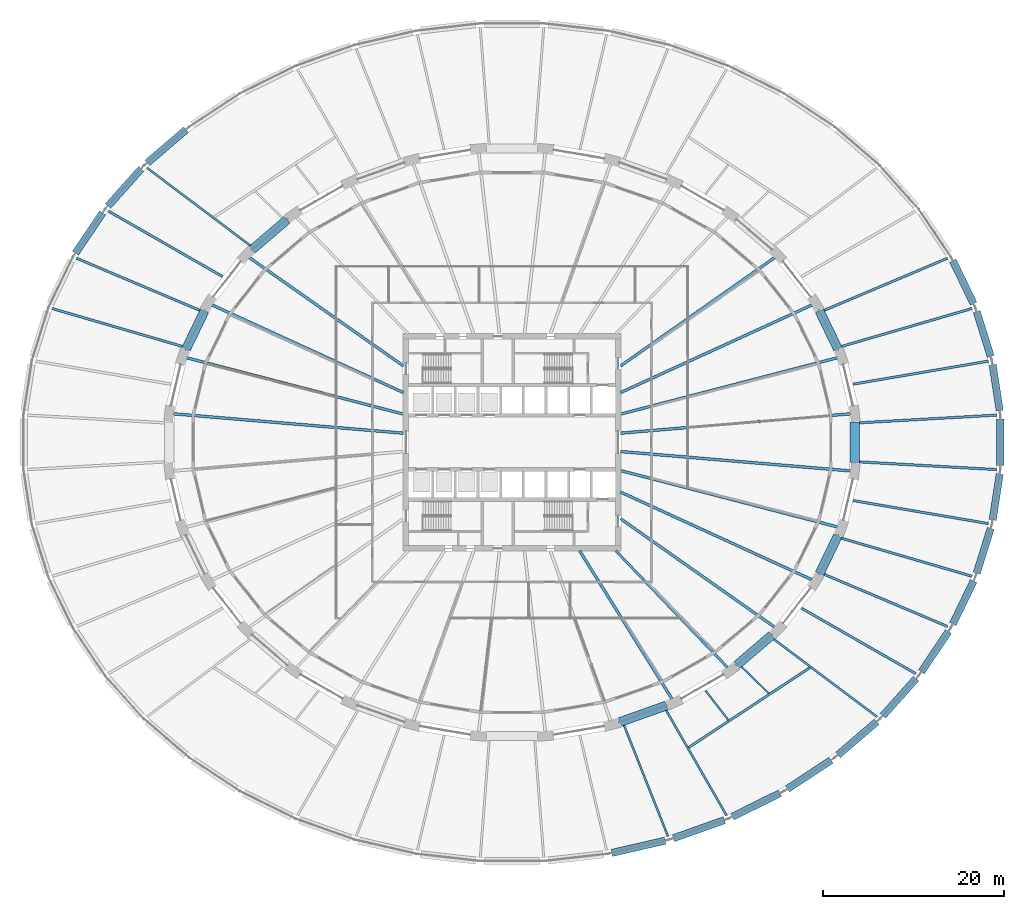
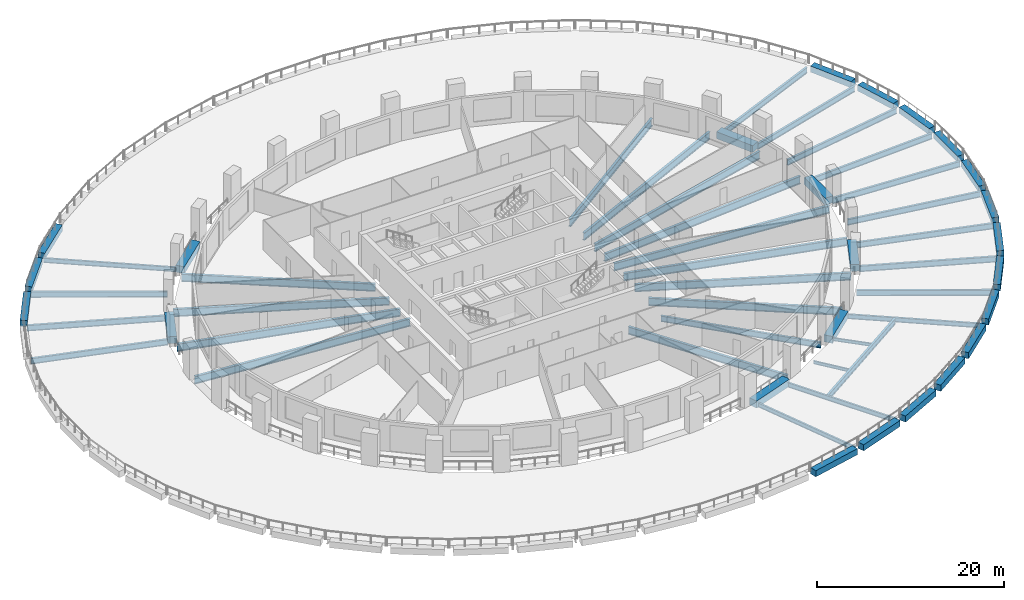
# One storey, part 2 of 16: 57 beams.
"""IFC4 building model written with IfcOpenShell, lengths in metres."""

import ifcopenshell
import ifcopenshell.guid

model = None  # the IFC model being written
_history = None  # IfcOwnerHistory: only IFC2X3 demands one
_inside = {}  # id of a spatial element -> (the spatial element, [elements in it])
_under = {}  # id of a project, library or spatial element -> (it, [spatial elements below it])
_declared = {}  # id of a project -> (the project, [libraries it declares])
_typed = {}  # id of a type object -> (the type object, [elements of that type])
_made_of = {}  # id of a material, layer set ... -> (it, [elements and type objects made of it])


def new_model(schema):
    """Start an empty IFC model of exactly this schema.

    Asked for "IFC4X3", IfcOpenShell would pick the latest addendum, in which some entities
    have other attributes; the version numbers below select the first issue.
    IFC2X3 requires an IfcOwnerHistory on every rooted entity: one is made here for all.
    """
    global model, _history
    if schema == "IFC4X3":
        model = ifcopenshell.file(schema_version=(4, 3, 0, 0))
    else:
        model = ifcopenshell.file(schema=schema)
    _inside.clear()
    _under.clear()
    _declared.clear()
    _typed.clear()
    _made_of.clear()
    _history = None
    if model.schema == "IFC2X3":
        org = make("IfcOrganization", Name="unknown")
        user = make(
            "IfcPersonAndOrganization",
            ThePerson=make("IfcPerson", FamilyName="unknown"),
            TheOrganization=org,
        )
        app = make(
            "IfcApplication",
            ApplicationDeveloper=org,
            Version="unknown",
            ApplicationFullName="unknown",
            ApplicationIdentifier="unknown",
        )
        _history = make(
            "IfcOwnerHistory",
            OwningUser=user,
            OwningApplication=app,
            ChangeAction="ADDED",
            CreationDate=0,
        )
    return model


def make(cls, **values):
    """One entity of the class cls with the attributes given. An attribute that is None is left unset."""
    return model.create_entity(
        cls, **{name: value for name, value in values.items() if value is not None}
    )


def rooted(cls, **values):
    """An entity with a GlobalId (a new one), such as an element, a storey or a relation."""
    return make(cls, GlobalId=ifcopenshell.guid.new(), OwnerHistory=_history, **values)


def si_unit(unit_type, name, prefix=None):
    """IfcSIUnit, for example si_unit("LENGTHUNIT", "METRE", prefix="MILLI")."""
    return make("IfcSIUnit", UnitType=unit_type, Prefix=prefix, Name=name)


def assignment(units):
    """IfcUnitAssignment: the units of a project."""
    return None if units is None else make("IfcUnitAssignment", Units=units)


def point(xyz):
    """IfcCartesianPoint."""
    return None if xyz is None else make("IfcCartesianPoint", Coordinates=xyz)


def direction(xyz):
    """IfcDirection."""
    return None if xyz is None else make("IfcDirection", DirectionRatios=xyz)


def frame(location, z_axis=None, x_axis=None):
    """IfcAxis2Placement3D, a coordinate frame: its origin and axes. An axis left out is left unset."""
    return make(
        "IfcAxis2Placement3D",
        Location=point(location),
        Axis=direction(z_axis),
        RefDirection=direction(x_axis),
    )


def frame_2d(location, x_axis=None):
    """IfcAxis2Placement2D, a coordinate frame in the plane: its origin and x axis."""
    return make(
        "IfcAxis2Placement2D", Location=point(location), RefDirection=direction(x_axis)
    )


def origin():
    """The frame at (0, 0, 0) with its axes left unset."""
    return frame((0.0, 0.0, 0.0))


def origin_2d():
    """The frame at (0, 0) in the plane with its x axis left unset."""
    return frame_2d((0.0, 0.0))


def place(relative_to, where):
    """IfcLocalPlacement: puts the frame where relative to a parent placement (None: the world)."""
    return make(
        "IfcLocalPlacement", PlacementRelTo=relative_to, RelativePlacement=where
    )


def context(
    kind, dimensions, precision=None, world=None, true_north=None, identifier=None
):
    """IfcGeometricRepresentationContext, for example the 3D "Model" context."""
    return make(
        "IfcGeometricRepresentationContext",
        ContextIdentifier=identifier,
        ContextType=kind,
        CoordinateSpaceDimension=dimensions,
        Precision=precision,
        WorldCoordinateSystem=world,
        TrueNorth=true_north,
    )


def subcontext(parent, identifier, kind, view, scale=None):
    """IfcGeometricRepresentationSubContext, for example "Body" below "Model"."""
    return make(
        "IfcGeometricRepresentationSubContext",
        ContextIdentifier=identifier,
        ContextType=kind,
        ParentContext=parent,
        TargetScale=scale,
        TargetView=view,
    )


def project(units=None, contexts=None):
    """IfcProject with its units and contexts."""
    return rooted(
        "IfcProject",
        Name="project",
        RepresentationContexts=contexts,
        UnitsInContext=assignment(units),
    )


def spatial(cls, under=None, at=None, **own):
    """A site, building, storey or space (cls), placed at a placement, below another one or the project."""
    s = rooted(cls, ObjectPlacement=at, **own)
    if under is not None:
        _under.setdefault(under.id(), (under, []))[1].append(s)
    return s


def profile(cls, at=None, kind="AREA", **sizes):
    """A parametric profile (cls). Its sizes go by their IFC names, for example OverallWidth=200.0."""
    return make(cls, ProfileType=kind, Position=at, **sizes)


def rectangle(**sizes):
    """IfcRectangleProfileDef."""
    return profile("IfcRectangleProfileDef", **sizes)


def i_section(**sizes):
    """IfcIShapeProfileDef."""
    return profile("IfcIShapeProfileDef", **sizes)


def extrude(swept, where, along, depth):
    """IfcExtrudedAreaSolid: the profile swept, set in the frame where, extruded along a direction by depth."""
    return make(
        "IfcExtrudedAreaSolid",
        SweptArea=swept,
        Position=where,
        ExtrudedDirection=direction(along),
        Depth=depth,
    )


def shape(context_of_items, identifier, shape_type, items):
    """IfcShapeRepresentation: the items that make up one representation, for example the "Body"."""
    return make(
        "IfcShapeRepresentation",
        ContextOfItems=context_of_items,
        RepresentationIdentifier=identifier,
        RepresentationType=shape_type,
        Items=items,
    )


def material(Name=None, Category=None):
    """IfcMaterial."""
    return make("IfcMaterial", Name=Name, Category=Category)


def material_profile(
    of_material, cross_section, Name=None, Category=None, Priority=None
):
    """IfcMaterialProfile: a cross section and its material."""
    return make(
        "IfcMaterialProfile",
        Name=Name,
        Material=of_material,
        Profile=cross_section,
        Priority=Priority,
        Category=Category,
    )


def profile_set(profiles, Name=None, composite=None):
    """IfcMaterialProfileSet."""
    return make(
        "IfcMaterialProfileSet",
        Name=Name,
        MaterialProfiles=profiles,
        CompositeProfile=composite,
    )


def made_of(thing, what):
    """Note that an element or type object is made of a material, layer set ...; save() writes the relation."""
    if what is not None:
        _made_of.setdefault(what.id(), (what, []))[1].append(thing)
    return thing


def type_object(cls, material=None, **own):
    """A type object (cls), such as IfcWallType, which elements share."""
    return made_of(rooted(cls, **own), material)


def element(
    cls,
    number,
    at=None,
    inside=None,
    cuts=None,
    type_object=None,
    material=None,
    context=None,
    identifier="Body",
    shape_type=None,
    held_by="IfcProductDefinitionShape",
    body=None,
    shapes=None,
    **own,
):
    """One element of the class cls, such as IfcWall. Its Tag is "e" and its number.

    at: its placement. inside: the storey or other place that contains it. cuts: it is an
    opening in that element (IfcRelVoidsElement). A single representation is given by context,
    identifier, shape_type and body (its items); several are given by shapes. held_by: the class
    of the entity that holds the representations. save() writes the other relations.
    """
    e = rooted(cls, Tag="e%d" % number, ObjectPlacement=at, **own)
    if body is not None:
        shapes = [shape(context, identifier, shape_type, body)]
    if shapes is not None:
        e.Representation = make(held_by, Representations=shapes)
    if inside is not None:
        _inside.setdefault(inside.id(), (inside, []))[1].append(e)
    if cuts is not None:
        rooted(
            "IfcRelVoidsElement", RelatingBuildingElement=cuts, RelatedOpeningElement=e
        )
    if type_object is not None:
        _typed.setdefault(type_object.id(), (type_object, []))[1].append(e)
    return made_of(e, material)


def aggregate(whole, parts):
    """IfcRelAggregates: a whole, such as a stair, and the parts it consists of."""
    return rooted("IfcRelAggregates", RelatingObject=whole, RelatedObjects=parts)


def save(model, path):
    """Write the relations noted so far, then the file.

    IfcRelAggregates (storeys below a building ...), IfcRelContainedInSpatialStructure (elements
    in a storey), IfcRelDefinesByType, IfcRelAssociatesMaterial and IfcRelDeclares: one each for
    every whole, place, type object, material and project.
    """
    for whole, parts in _under.values():
        aggregate(whole, parts)
    for where, things in _inside.values():
        rooted(
            "IfcRelContainedInSpatialStructure",
            RelatedElements=things,
            RelatingStructure=where,
        )
    for kind, things in _typed.values():
        rooted("IfcRelDefinesByType", RelatedObjects=things, RelatingType=kind)
    for what, things in _made_of.values():
        rooted("IfcRelAssociatesMaterial", RelatedObjects=things, RelatingMaterial=what)
    for by, libraries in _declared.values():
        rooted("IfcRelDeclares", RelatingContext=by, RelatedDefinitions=libraries)
    model.write(path)


model = new_model("IFC4")

# Units and contexts
model_context = context("Model", 3, precision=1e-05, world=origin(), true_north=direction((0.0, 1.0)))
body_context = subcontext(model_context, "Body", "Model", "MODEL_VIEW")
ifc_project = project(units=[si_unit("LENGTHUNIT", "METRE"), si_unit("AREAUNIT", "SQUARE_METRE"), si_unit("VOLUMEUNIT", "CUBIC_METRE"), si_unit("PLANEANGLEUNIT", "RADIAN"), si_unit("MASSUNIT", "GRAM", prefix="KILO")], contexts=[model_context])

# Site, building, storey
site_placement = place(None, origin())
site = spatial("IfcSite", under=ifc_project, at=site_placement, CompositionType="ELEMENT")
building_placement = place(site_placement, origin())
building = spatial("IfcBuilding", under=site, at=building_placement, Name="Halqa Exchange Tower", CompositionType="ELEMENT")
storey_placement = place(building_placement, frame((0.0, 0.0, 23.5)))
storey = spatial("IfcBuildingStorey", under=building, at=storey_placement, Name="L04", CompositionType="ELEMENT", Elevation=23.5)

# Beams
ifc_material_1 = material(Name="Steel S355", Category="steel")
ifc_material_profile_1 = material_profile(ifc_material_1, i_section(OverallWidth=0.300048828125, OverallDepth=0.989990234375, WebThickness=0.0166015625, FlangeThickness=0.031005859375, FilletRadius=0.030029296875, at=origin_2d()), Name="HEA 1000")
ifc_profile_set_1 = profile_set([ifc_material_profile_1], Name="Steel S355")
beam_type_1 = type_object("IfcBeamType", Name="Floor beam HEA 1000", PredefinedType="BEAM", material=ifc_profile_set_1)
beam_1_placement = place(storey_placement, frame((11.972412109375, 5.485107421875, -0.794921875), z_axis=(0.909128229117, 0.416516341843, 0.0), x_axis=(-0.416516341843, 0.909128229117, 0.0)))
element("IfcBeam", 1, at=beam_1_placement, inside=storey, type_object=beam_type_1, Name="Radial beam 3", PredefinedType="BEAM", context=body_context, shape_type="SweptSolid", body=[
    extrude(i_section(OverallWidth=0.300048828125, OverallDepth=0.989990234375, WebThickness=0.0166015625, FlangeThickness=0.031005859375, FilletRadius=0.030029296875, at=origin_2d()), origin(), (0.0, 0.0, 1.0), 23.209228515625),
])
for number, where, z_axis, x_axis, name in (
    (2, (11.972412109375, 8.421875, -0.794921875), (0.817909911418, 0.575346310325, 0.0), (-0.575346310325, 0.817909911418, 0.0), "Radial beam 4"),
    (3, (-11.972412109375, 8.421875, -0.794921875), (-0.817909911418, 0.575346310325, 0.0), (-0.575346310325, -0.817909911418, 0.0), "Radial beam 13"),
):
    element("IfcBeam", number, at=place(storey_placement, frame(where, z_axis=z_axis, x_axis=x_axis)), inside=storey, type_object=beam_type_1, Name=name, PredefinedType="BEAM", context=body_context, shape_type="SweptSolid", body=[
        extrude(i_section(OverallWidth=0.300048828125, OverallDepth=0.989990234375, WebThickness=0.0166015625, FlangeThickness=0.031005859375, FilletRadius=0.030029296875, at=origin_2d()), origin(), (0.0, 0.0, 1.0), 20.804443359375),
    ])
beam_2_placement = place(storey_placement, frame((-11.972412109375, 5.485107421875, -0.794921875), z_axis=(-0.909128229117, 0.416516341843, 0.0), x_axis=(-0.416516341843, -0.909128229117, 0.0)))
element("IfcBeam", 4, at=beam_2_placement, inside=storey, type_object=beam_type_1, Name="Radial beam 14", PredefinedType="BEAM", context=body_context, shape_type="SweptSolid", body=[
    extrude(i_section(OverallWidth=0.300048828125, OverallDepth=0.989990234375, WebThickness=0.0166015625, FlangeThickness=0.031005859375, FilletRadius=0.030029296875, at=origin_2d()), origin(), (0.0, 0.0, 1.0), 23.209228515625),
])
beam_3_placement = place(storey_placement, frame((7.46533203125, -11.971435546875, -0.794921875), z_axis=(0.529145823441, -0.848530905468, 0.0), x_axis=(0.848530905468, 0.529145823441, 0.0)))
element("IfcBeam", 5, at=beam_3_placement, inside=storey, type_object=beam_type_1, Name="Radial beam 27", PredefinedType="BEAM", context=body_context, shape_type="SweptSolid", body=[
    extrude(i_section(OverallWidth=0.300048828125, OverallDepth=0.989990234375, WebThickness=0.0166015625, FlangeThickness=0.031005859375, FilletRadius=0.030029296875, at=origin_2d()), origin(), (0.0, 0.0, 1.0), 19.27294921875),
])
beam_4_placement = place(storey_placement, frame((11.972412109375, -8.421875, -0.794921875), z_axis=(0.817909911418, -0.575346310325, 0.0), x_axis=(0.575346310325, 0.817909911418, 0.0)))
element("IfcBeam", 6, at=beam_4_placement, inside=storey, type_object=beam_type_1, Name="Radial beam 29", PredefinedType="BEAM", context=body_context, shape_type="SweptSolid", body=[
    extrude(i_section(OverallWidth=0.300048828125, OverallDepth=0.989990234375, WebThickness=0.0166015625, FlangeThickness=0.031005859375, FilletRadius=0.030029296875, at=origin_2d()), origin(), (0.0, 0.0, 1.0), 20.804443359375),
])
beam_5_placement = place(storey_placement, frame((11.972412109375, -5.485107421875, -0.794921875), z_axis=(0.909128229117, -0.416516341843, 0.0), x_axis=(0.416516341843, 0.909128229117, 0.0)))
element("IfcBeam", 7, at=beam_5_placement, inside=storey, type_object=beam_type_1, Name="Radial beam 30", PredefinedType="BEAM", context=body_context, shape_type="SweptSolid", body=[
    extrude(i_section(OverallWidth=0.300048828125, OverallDepth=0.989990234375, WebThickness=0.0166015625, FlangeThickness=0.031005859375, FilletRadius=0.030029296875, at=origin_2d()), origin(), (0.0, 0.0, 1.0), 23.209228515625),
])
ifc_material_profile_2 = material_profile(ifc_material_1, i_section(OverallWidth=0.302001953125, OverallDepth=1.008056640625, WebThickness=0.02099609375, FlangeThickness=0.0400390625, FilletRadius=0.030029296875, at=origin_2d()), Name="HEM 1000")
ifc_profile_set_2 = profile_set([ifc_material_profile_2], Name="Steel S355")
beam_type_2 = type_object("IfcBeamType", Name="Floor beam HEM 1000", PredefinedType="BEAM", material=ifc_profile_set_2)
beam_6_placement = place(storey_placement, frame((11.972412109375, 1.0107421875, -0.803955078125), z_axis=(0.996455167327, 0.084125498561, 0.0), x_axis=(-0.084125498561, 0.996455167327, 0.0)))
element("IfcBeam", 8, at=beam_6_placement, inside=storey, type_object=beam_type_2, Name="Radial beam 1", PredefinedType="BEAM", context=body_context, shape_type="SweptSolid", body=[
    extrude(i_section(OverallWidth=0.302001953125, OverallDepth=1.008056640625, WebThickness=0.02099609375, FlangeThickness=0.0400390625, FilletRadius=0.030029296875, at=origin_2d()), origin(), (0.0, 0.0, 1.0), 25.460205078125),
])
for number, where, z_axis, x_axis, name in (
    (9, (11.971435546875, 3.11279296875, -0.803955078125), (0.967821064299, 0.251639399735, 0.0), (-0.251639399735, 0.967821064299, 0.0), "Radial beam 2"),
    (10, (-11.971435546875, 3.11279296875, -0.803955078125), (-0.967821064299, 0.251639399735, 0.0), (-0.251639399735, -0.967821064299, 0.0), "Radial beam 15"),
):
    element("IfcBeam", number, at=place(storey_placement, frame(where, z_axis=z_axis, x_axis=x_axis)), inside=storey, type_object=beam_type_2, Name=name, PredefinedType="BEAM", context=body_context, shape_type="SweptSolid", body=[
        extrude(i_section(OverallWidth=0.302001953125, OverallDepth=1.008056640625, WebThickness=0.02099609375, FlangeThickness=0.0400390625, FilletRadius=0.030029296875, at=origin_2d()), origin(), (0.0, 0.0, 1.0), 24.7314453125),
    ])
beam_7_placement = place(storey_placement, frame((-11.972412109375, 1.0107421875, -0.803955078125), z_axis=(-0.996455167327, 0.084125498561, 0.0), x_axis=(-0.084125498561, -0.996455167327, 0.0)))
element("IfcBeam", 11, at=beam_7_placement, inside=storey, type_object=beam_type_2, Name="Radial beam 16", PredefinedType="BEAM", context=body_context, shape_type="SweptSolid", body=[
    extrude(i_section(OverallWidth=0.302001953125, OverallDepth=1.008056640625, WebThickness=0.02099609375, FlangeThickness=0.0400390625, FilletRadius=0.030029296875, at=origin_2d()), origin(), (0.0, 0.0, 1.0), 25.460205078125),
])
beam_8_placement = place(storey_placement, frame((11.971435546875, -3.11279296875, -0.803955078125), z_axis=(0.967821064299, -0.251639399735, 0.0), x_axis=(0.251639399735, 0.967821064299, 0.0)))
element("IfcBeam", 12, at=beam_8_placement, inside=storey, type_object=beam_type_2, Name="Radial beam 31", PredefinedType="BEAM", context=body_context, shape_type="SweptSolid", body=[
    extrude(i_section(OverallWidth=0.302001953125, OverallDepth=1.008056640625, WebThickness=0.02099609375, FlangeThickness=0.0400390625, FilletRadius=0.030029296875, at=origin_2d()), origin(), (0.0, 0.0, 1.0), 24.7314453125),
])
beam_9_placement = place(storey_placement, frame((11.972412109375, -1.0107421875, -0.803955078125), z_axis=(0.996455167327, -0.084125498561, 0.0), x_axis=(0.084125498561, 0.996455167327, 0.0)))
element("IfcBeam", 13, at=beam_9_placement, inside=storey, type_object=beam_type_2, Name="Radial beam 32", PredefinedType="BEAM", context=body_context, shape_type="SweptSolid", body=[
    extrude(i_section(OverallWidth=0.302001953125, OverallDepth=1.008056640625, WebThickness=0.02099609375, FlangeThickness=0.0400390625, FilletRadius=0.030029296875, at=origin_2d()), origin(), (0.0, 0.0, 1.0), 25.460205078125),
])
ifc_material_profile_3 = material_profile(ifc_material_1, i_section(OverallWidth=0.179931640625, OverallDepth=0.39990234375, WebThickness=0.008544921875, FlangeThickness=0.013427734375, FilletRadius=0.02099609375, at=origin_2d()), Name="IPE 400")
ifc_profile_set_3 = profile_set([ifc_material_profile_3], Name="Steel S355")
beam_type_3 = type_object("IfcBeamType", Name="Floor beam IPE 400", PredefinedType="BEAM", material=ifc_profile_set_3)
beam_10_placement = place(storey_placement, frame((21.3603515625, -27.40966796875, -0.5), z_axis=(0.614710115699, -0.788753113247, 0.0), x_axis=(0.788753113247, 0.614710115699, 0.0)))
element("IfcBeam", 14, at=beam_10_placement, inside=storey, type_object=beam_type_3, Name="Radial beam 41a", PredefinedType="BEAM", context=body_context, shape_type="SweptSolid", body=[
    extrude(i_section(OverallWidth=0.179931640625, OverallDepth=0.39990234375, WebThickness=0.008544921875, FlangeThickness=0.013427734375, FilletRadius=0.02099609375, at=origin_2d()), origin(), (0.0, 0.0, 1.0), 4.10595703125),
])
beam_11_placement = place(storey_placement, frame((25.322265625, -24.757080078125, -0.5), z_axis=(0.71503297556, -0.699090726488, 0.0), x_axis=(0.699090726488, 0.71503297556, 0.0)))
element("IfcBeam", 15, at=beam_11_placement, inside=storey, type_object=beam_type_3, Name="Radial beam 42a", PredefinedType="BEAM", context=body_context, shape_type="SweptSolid", body=[
    extrude(i_section(OverallWidth=0.179931640625, OverallDepth=0.39990234375, WebThickness=0.008544921875, FlangeThickness=0.013427734375, FilletRadius=0.02099609375, at=origin_2d()), origin(), (0.0, 0.0, 1.0), 4.2265625),
])
ifc_material_profile_4 = material_profile(ifc_material_1, i_section(OverallWidth=0.2099609375, OverallDepth=0.550048828125, WebThickness=0.010986328125, FlangeThickness=0.01708984375, FilletRadius=0.02392578125, at=origin_2d()), Name="IPE 550")
ifc_profile_set_4 = profile_set([ifc_material_profile_4], Name="Steel S355")
beam_type_4 = type_object("IfcBeamType", Name="Floor beam IPE 550", PredefinedType="BEAM", material=ifc_profile_set_4)
beam_12_placement = place(storey_placement, frame((12.352294921875, -31.2001953125, -0.574951171875), z_axis=(0.368106640822, -0.929783577497, 0.0), x_axis=(0.929783577497, 0.368106640822, 0.0)))
element("IfcBeam", 16, at=beam_12_placement, inside=storey, type_object=beam_type_4, Name="Radial beam 39", PredefinedType="BEAM", context=body_context, shape_type="SweptSolid", body=[
    extrude(i_section(OverallWidth=0.2099609375, OverallDepth=0.550048828125, WebThickness=0.010986328125, FlangeThickness=0.01708984375, FilletRadius=0.02392578125, at=origin_2d()), origin(), (0.0, 0.0, 1.0), 13.22412109375),
])
ifc_material_profile_5 = material_profile(ifc_material_1, i_section(OverallWidth=0.219970703125, OverallDepth=0.60009765625, WebThickness=0.011962890625, FlangeThickness=0.01904296875, FilletRadius=0.02392578125, at=origin_2d()), Name="IPE 600")
ifc_profile_set_5 = profile_set([ifc_material_profile_5], Name="Steel S355")
beam_type_5 = type_object("IfcBeamType", Name="Floor beam IPE 600", PredefinedType="BEAM", material=ifc_profile_set_5)
beam_13_placement = place(storey_placement, frame((-28.875732421875, 21.71240234375, -0.60009765625), z_axis=(-0.799257291391, 0.600989003359, 0.0), x_axis=(-0.600989003359, -0.799257291391, 0.0)))
element("IfcBeam", 17, at=beam_13_placement, inside=storey, type_object=beam_type_5, Name="Radial beam 19", PredefinedType="BEAM", context=body_context, shape_type="SweptSolid", body=[
    extrude(i_section(OverallWidth=0.219970703125, OverallDepth=0.60009765625, WebThickness=0.011962890625, FlangeThickness=0.01904296875, FilletRadius=0.02392578125, at=origin_2d()), origin(), (0.0, 0.0, 1.0), 14.291259765625),
])
beam_14_placement = place(storey_placement, frame((16.996826171875, -29.551513671875, -0.60009765625), z_axis=(0.498570786865, -0.866848989435, 0.0), x_axis=(0.866848989435, 0.498570786865, 0.0)))
element("IfcBeam", 18, at=beam_14_placement, inside=storey, type_object=beam_type_5, Name="Radial beam 40", PredefinedType="BEAM", context=body_context, shape_type="SweptSolid", body=[
    extrude(i_section(OverallWidth=0.219970703125, OverallDepth=0.60009765625, WebThickness=0.011962890625, FlangeThickness=0.01904296875, FilletRadius=0.02392578125, at=origin_2d()), origin(), (0.0, 0.0, 1.0), 13.438720703125),
])
beam_15_placement = place(storey_placement, frame((28.875732421875, -21.71240234375, -0.60009765625), z_axis=(0.799257291391, -0.600989003359, 0.0), x_axis=(0.600989003359, 0.799257291391, 0.0)))
element("IfcBeam", 19, at=beam_15_placement, inside=storey, type_object=beam_type_5, Name="Radial beam 43", PredefinedType="BEAM", context=body_context, shape_type="SweptSolid", body=[
    extrude(i_section(OverallWidth=0.219970703125, OverallDepth=0.60009765625, WebThickness=0.011962890625, FlangeThickness=0.01904296875, FilletRadius=0.02392578125, at=origin_2d()), origin(), (0.0, 0.0, 1.0), 14.291259765625),
])
ifc_material_profile_6 = material_profile(ifc_material_1, i_section(OverallWidth=0.264892578125, OverallDepth=0.7529296875, WebThickness=0.01318359375, FlangeThickness=0.01708984375, FilletRadius=0.01708984375, at=origin_2d()), Name="IPE 750x147")
ifc_profile_set_6 = profile_set([ifc_material_profile_6], Name="Steel S355")
beam_type_6 = type_object("IfcBeamType", Name="Floor beam IPE 750x147", PredefinedType="BEAM", material=ifc_profile_set_6)
beam_16_placement = place(storey_placement, frame((11.462890625, -11.97216796875, -0.676513671875), z_axis=(0.691576067347, -0.722303636342, 0.0), x_axis=(0.722303636342, 0.691576067347, 0.0)))
element("IfcBeam", 20, at=beam_16_placement, inside=storey, type_object=beam_type_6, Name="Radial beam 28", PredefinedType="BEAM", context=body_context, shape_type="SweptSolid", body=[
    extrude(i_section(OverallWidth=0.264892578125, OverallDepth=0.7529296875, WebThickness=0.01318359375, FlangeThickness=0.01708984375, FilletRadius=0.01708984375, at=origin_2d()), origin(), (0.0, 0.0, 1.0), 17.797607421875),
])
beam_17_placement = place(storey_placement, frame((38.2880859375, 2.151611328125, -0.676513671875), z_axis=(0.998424130563, 0.056118227964, 0.0), x_axis=(-0.056118227964, 0.998424130563, 0.0)))
element("IfcBeam", 21, at=beam_17_placement, inside=storey, type_object=beam_type_6, Name="Radial beam 1", PredefinedType="BEAM", context=body_context, shape_type="SweptSolid", body=[
    extrude(i_section(OverallWidth=0.264892578125, OverallDepth=0.7529296875, WebThickness=0.01318359375, FlangeThickness=0.01708984375, FilletRadius=0.01708984375, at=origin_2d()), origin(), (0.0, 0.0, 1.0), 15.248291015625),
])
beam_18_placement = place(storey_placement, frame((37.654296875, 6.421875, -0.676513671875), z_axis=(0.985764762639, 0.168130403968, 0.0), x_axis=(-0.168130403968, 0.985764762639, 0.0)))
element("IfcBeam", 22, at=beam_18_placement, inside=storey, type_object=beam_type_6, Name="Radial beam 2", PredefinedType="BEAM", context=body_context, shape_type="SweptSolid", body=[
    extrude(i_section(OverallWidth=0.264892578125, OverallDepth=0.7529296875, WebThickness=0.01318359375, FlangeThickness=0.01708984375, FilletRadius=0.01708984375, at=origin_2d()), origin(), (0.0, 0.0, 1.0), 15.156982421875),
])
beam_19_placement = place(storey_placement, frame((36.34521484375, 10.578369140625, -0.676513671875), z_axis=(0.960162493503, 0.279442276812, 0.0), x_axis=(-0.279442276812, 0.960162493503, 0.0)))
element("IfcBeam", 23, at=beam_19_placement, inside=storey, type_object=beam_type_6, Name="Radial beam 3", PredefinedType="BEAM", context=body_context, shape_type="SweptSolid", body=[
    extrude(i_section(OverallWidth=0.264892578125, OverallDepth=0.7529296875, WebThickness=0.01318359375, FlangeThickness=0.01708984375, FilletRadius=0.01708984375, at=origin_2d()), origin(), (0.0, 0.0, 1.0), 15.02880859375),
])
beam_20_placement = place(storey_placement, frame((34.423583984375, 14.555419921875, -0.676513671875), z_axis=(0.921054684963, 0.389433264254, 0.0), x_axis=(-0.389433264254, 0.921054684963, 0.0)))
element("IfcBeam", 24, at=beam_20_placement, inside=storey, type_object=beam_type_6, Name="Radial beam 4", PredefinedType="BEAM", context=body_context, shape_type="SweptSolid", body=[
    extrude(i_section(OverallWidth=0.264892578125, OverallDepth=0.7529296875, WebThickness=0.01318359375, FlangeThickness=0.01708984375, FilletRadius=0.01708984375, at=origin_2d()), origin(), (0.0, 0.0, 1.0), 14.83349609375),
])
beam_21_placement = place(storey_placement, frame((-31.942626953125, 18.300048828125, -0.676513671875), z_axis=(-0.867691436398, 0.497103179633, 0.0), x_axis=(-0.497103179633, -0.867691436398, 0.0)))
element("IfcBeam", 25, at=beam_21_placement, inside=storey, type_object=beam_type_6, Name="Radial beam 20", PredefinedType="BEAM", context=body_context, shape_type="SweptSolid", body=[
    extrude(i_section(OverallWidth=0.264892578125, OverallDepth=0.7529296875, WebThickness=0.01318359375, FlangeThickness=0.01708984375, FilletRadius=0.01708984375, at=origin_2d()), origin(), (0.0, 0.0, 1.0), 14.555908203125),
])
beam_22_placement = place(storey_placement, frame((-34.423583984375, 14.555419921875, -0.676513671875), z_axis=(-0.921054684963, 0.389433264254, 0.0), x_axis=(-0.389433264254, -0.921054684963, 0.0)))
element("IfcBeam", 26, at=beam_22_placement, inside=storey, type_object=beam_type_6, Name="Radial beam 21", PredefinedType="BEAM", context=body_context, shape_type="SweptSolid", body=[
    extrude(i_section(OverallWidth=0.264892578125, OverallDepth=0.7529296875, WebThickness=0.01318359375, FlangeThickness=0.01708984375, FilletRadius=0.01708984375, at=origin_2d()), origin(), (0.0, 0.0, 1.0), 14.83349609375),
])
beam_23_placement = place(storey_placement, frame((-36.34521484375, 10.578369140625, -0.676513671875), z_axis=(-0.960162493503, 0.279442276812, 0.0), x_axis=(-0.279442276812, -0.960162493503, 0.0)))
element("IfcBeam", 27, at=beam_23_placement, inside=storey, type_object=beam_type_6, Name="Radial beam 22", PredefinedType="BEAM", context=body_context, shape_type="SweptSolid", body=[
    extrude(i_section(OverallWidth=0.264892578125, OverallDepth=0.7529296875, WebThickness=0.01318359375, FlangeThickness=0.01708984375, FilletRadius=0.01708984375, at=origin_2d()), origin(), (0.0, 0.0, 1.0), 15.02880859375),
])
beam_24_placement = place(storey_placement, frame((31.942626953125, -18.300048828125, -0.676513671875), z_axis=(0.867691436398, -0.497103179633, 0.0), x_axis=(0.497103179633, 0.867691436398, 0.0)))
element("IfcBeam", 28, at=beam_24_placement, inside=storey, type_object=beam_type_6, Name="Radial beam 44", PredefinedType="BEAM", context=body_context, shape_type="SweptSolid", body=[
    extrude(i_section(OverallWidth=0.264892578125, OverallDepth=0.7529296875, WebThickness=0.01318359375, FlangeThickness=0.01708984375, FilletRadius=0.01708984375, at=origin_2d()), origin(), (0.0, 0.0, 1.0), 14.555908203125),
])
beam_25_placement = place(storey_placement, frame((34.423583984375, -14.555419921875, -0.676513671875), z_axis=(0.921054684963, -0.389433264254, 0.0), x_axis=(0.389433264254, 0.921054684963, 0.0)))
element("IfcBeam", 29, at=beam_25_placement, inside=storey, type_object=beam_type_6, Name="Radial beam 45", PredefinedType="BEAM", context=body_context, shape_type="SweptSolid", body=[
    extrude(i_section(OverallWidth=0.264892578125, OverallDepth=0.7529296875, WebThickness=0.01318359375, FlangeThickness=0.01708984375, FilletRadius=0.01708984375, at=origin_2d()), origin(), (0.0, 0.0, 1.0), 14.83349609375),
])
beam_26_placement = place(storey_placement, frame((36.34521484375, -10.578369140625, -0.676513671875), z_axis=(0.960162493503, -0.279442276812, 0.0), x_axis=(0.279442276812, 0.960162493503, 0.0)))
element("IfcBeam", 30, at=beam_26_placement, inside=storey, type_object=beam_type_6, Name="Radial beam 46", PredefinedType="BEAM", context=body_context, shape_type="SweptSolid", body=[
    extrude(i_section(OverallWidth=0.264892578125, OverallDepth=0.7529296875, WebThickness=0.01318359375, FlangeThickness=0.01708984375, FilletRadius=0.01708984375, at=origin_2d()), origin(), (0.0, 0.0, 1.0), 15.02880859375),
])
beam_27_placement = place(storey_placement, frame((37.654296875, -6.421875, -0.676513671875), z_axis=(0.985764762639, -0.168130403968, 0.0), x_axis=(0.168130403968, 0.985764762639, 0.0)))
element("IfcBeam", 31, at=beam_27_placement, inside=storey, type_object=beam_type_6, Name="Radial beam 47", PredefinedType="BEAM", context=body_context, shape_type="SweptSolid", body=[
    extrude(i_section(OverallWidth=0.264892578125, OverallDepth=0.7529296875, WebThickness=0.01318359375, FlangeThickness=0.01708984375, FilletRadius=0.01708984375, at=origin_2d()), origin(), (0.0, 0.0, 1.0), 15.156982421875),
])
beam_28_placement = place(storey_placement, frame((38.2880859375, -2.151611328125, -0.676513671875), z_axis=(0.998424130563, -0.056118227964, 0.0), x_axis=(0.056118227964, 0.998424130563, 0.0)))
element("IfcBeam", 32, at=beam_28_placement, inside=storey, type_object=beam_type_6, Name="Radial beam 48", PredefinedType="BEAM", context=body_context, shape_type="SweptSolid", body=[
    extrude(i_section(OverallWidth=0.264892578125, OverallDepth=0.7529296875, WebThickness=0.01318359375, FlangeThickness=0.01708984375, FilletRadius=0.01708984375, at=origin_2d()), origin(), (0.0, 0.0, 1.0), 15.248291015625),
])
beam_29_placement = place(storey_placement, frame((19.467041015625, -33.682373046875, -0.676513671875), z_axis=(0.835206413532, 0.54993658434, 0.0), x_axis=(-0.54993658434, 0.835206413532, 0.0)))
element("IfcBeam", 33, at=beam_29_placement, inside=storey, type_object=beam_type_6, Name="Radial beam TPS2-in", PredefinedType="BEAM", context=body_context, shape_type="SweptSolid", body=[
    extrude(i_section(OverallWidth=0.264892578125, OverallDepth=0.7529296875, WebThickness=0.01318359375, FlangeThickness=0.01708984375, FilletRadius=0.01708984375, at=origin_2d()), origin(), (0.0, 0.0, 1.0), 16.080078125),
])
ifc_material_2 = material(Name="Concrete C60/75", Category="concrete")
ifc_material_profile_7 = material_profile(ifc_material_2, rectangle(XDim=0.800048828125, YDim=0.800048828125, at=origin_2d()), Name="800 x 800")
ifc_profile_set_7 = profile_set([ifc_material_profile_7], Name="Concrete C60/75")
beam_type_7 = type_object("IfcBeamType", Name="RC podium edge beam 800 x 800 C60/75", PredefinedType="SPANDREL", material=ifc_profile_set_7)
beam_30_placement = place(storey_placement, frame((53.812744140625, 3.495361328125, -0.39990234375), z_axis=(-0.151767505705, 0.988416220128, 0.0), x_axis=(-0.988416220128, -0.151767505705, 0.0)))
element("IfcBeam", 34, at=beam_30_placement, inside=storey, type_object=beam_type_7, Name="Podium edge beam 1", PredefinedType="SPANDREL", context=body_context, shape_type="SweptSolid", body=[
    extrude(rectangle(XDim=0.800048828125, YDim=0.800048828125, at=origin_2d()), origin(), (0.0, 0.0, 1.0), 5.1298828125),
])
beam_31_placement = place(storey_placement, frame((52.821044921875, 9.4853515625, -0.39990234375), z_axis=(-0.298331338153, 0.954462368392, 0.0), x_axis=(-0.954462368392, -0.298331338153, 0.0)))
element("IfcBeam", 35, at=beam_31_placement, inside=storey, type_object=beam_type_7, Name="Podium edge beam 2", PredefinedType="SPANDREL", context=body_context, shape_type="SweptSolid", body=[
    extrude(rectangle(XDim=0.800048828125, YDim=0.800048828125, at=origin_2d()), origin(), (0.0, 0.0, 1.0), 5.180908203125),
])
beam_32_placement = place(storey_placement, frame((50.92822265625, 15.308837890625, -0.39990234375), z_axis=(-0.43497328232, 0.9004433595, 0.0), x_axis=(-0.9004433595, -0.43497328232, 0.0)))
element("IfcBeam", 36, at=beam_32_placement, inside=storey, type_object=beam_type_7, Name="Podium edge beam 3", PredefinedType="SPANDREL", context=body_context, shape_type="SweptSolid", body=[
    extrude(rectangle(XDim=0.800048828125, YDim=0.800048828125, at=origin_2d()), origin(), (0.0, 0.0, 1.0), 5.267578125),
])
beam_33_placement = place(storey_placement, frame((-35.963134765625, 34.502685546875, -0.39990234375), z_axis=(-0.759174010844, -0.650887717859, 0.0), x_axis=(0.650887717859, -0.759174010844, 0.0)))
element("IfcBeam", 37, at=beam_33_placement, inside=storey, type_object=beam_type_7, Name="Podium edge beam 18", PredefinedType="SPANDREL", context=body_context, shape_type="SweptSolid", body=[
    extrude(rectangle(XDim=0.800048828125, YDim=0.800048828125, at=origin_2d()), origin(), (0.0, 0.0, 1.0), 5.63427734375),
])
beam_34_placement = place(storey_placement, frame((-40.914794921875, 30.175048828125, -0.39990234375), z_axis=(-0.666902525907, -0.745144966392, 0.0), x_axis=(0.745144966392, -0.666902525907, 0.0)))
element("IfcBeam", 38, at=beam_34_placement, inside=storey, type_object=beam_type_7, Name="Podium edge beam 19", PredefinedType="SPANDREL", context=body_context, shape_type="SweptSolid", body=[
    extrude(rectangle(XDim=0.800048828125, YDim=0.800048828125, at=origin_2d()), origin(), (0.0, 0.0, 1.0), 5.501220703125),
])
beam_35_placement = place(storey_placement, frame((-45.1630859375, 25.331298828125, -0.39990234375), z_axis=(-0.558528358221, -0.829485426673, 0.0), x_axis=(0.829485426673, -0.558528358221, 0.0)))
element("IfcBeam", 39, at=beam_35_placement, inside=storey, type_object=beam_type_7, Name="Podium edge beam 20", PredefinedType="SPANDREL", context=body_context, shape_type="SweptSolid", body=[
    extrude(rectangle(XDim=0.800048828125, YDim=0.800048828125, at=origin_2d()), origin(), (0.0, 0.0, 1.0), 5.378173828125),
])
beam_36_placement = place(storey_placement, frame((10.99658203125, -45.304443359375, -0.39990234375), z_axis=(0.974604133477, 0.223934774008, 0.0), x_axis=(-0.223934774008, 0.974604133477, 0.0)))
element("IfcBeam", 40, at=beam_36_placement, inside=storey, type_object=beam_type_7, Name="Podium edge beam 38", PredefinedType="SPANDREL", context=body_context, shape_type="SweptSolid", body=[
    extrude(rectangle(XDim=0.800048828125, YDim=0.800048828125, at=origin_2d()), origin(), (0.0, 0.0, 1.0), 6.05517578125),
])
beam_37_placement = place(storey_placement, frame((17.802490234375, -43.684814453125, -0.39990234375), z_axis=(0.942343471221, 0.334647250469, 0.0), x_axis=(-0.334647250469, 0.942343471221, 0.0)))
element("IfcBeam", 41, at=beam_37_placement, inside=storey, type_object=beam_type_7, Name="Podium edge beam 39", PredefinedType="SPANDREL", context=body_context, shape_type="SweptSolid", body=[
    extrude(rectangle(XDim=0.800048828125, YDim=0.800048828125, at=origin_2d()), origin(), (0.0, 0.0, 1.0), 5.980712890625),
])
beam_38_placement = place(storey_placement, frame((24.30712890625, -41.3154296875, -0.39990234375), z_axis=(0.896205416004, 0.443639326847, 0.0), x_axis=(-0.443639326847, 0.896205416004, 0.0)))
element("IfcBeam", 42, at=beam_38_placement, inside=storey, type_object=beam_type_7, Name="Podium edge beam 40", PredefinedType="SPANDREL", context=body_context, shape_type="SweptSolid", body=[
    extrude(rectangle(XDim=0.800048828125, YDim=0.800048828125, at=origin_2d()), origin(), (0.0, 0.0, 1.0), 5.880126953125),
])
beam_39_placement = place(storey_placement, frame((30.396240234375, -38.23681640625, -0.39990234375), z_axis=(0.835418618456, 0.549614166426, 0.0), x_axis=(-0.549614166426, 0.835418618456, 0.0)))
element("IfcBeam", 43, at=beam_39_placement, inside=storey, type_object=beam_type_7, Name="Podium edge beam 41", PredefinedType="SPANDREL", context=body_context, shape_type="SweptSolid", body=[
    extrude(rectangle(XDim=0.800048828125, YDim=0.800048828125, at=origin_2d()), origin(), (0.0, 0.0, 1.0), 5.760986328125),
])
beam_40_placement = place(storey_placement, frame((35.963134765625, -34.502685546875, -0.39990234375), z_axis=(0.759174010844, 0.650887717859, 0.0), x_axis=(-0.650887717859, 0.759174010844, 0.0)))
element("IfcBeam", 44, at=beam_40_placement, inside=storey, type_object=beam_type_7, Name="Podium edge beam 42", PredefinedType="SPANDREL", context=body_context, shape_type="SweptSolid", body=[
    extrude(rectangle(XDim=0.800048828125, YDim=0.800048828125, at=origin_2d()), origin(), (0.0, 0.0, 1.0), 5.63427734375),
])
beam_41_placement = place(storey_placement, frame((40.914794921875, -30.175048828125, -0.39990234375), z_axis=(0.666902525907, 0.745144966392, 0.0), x_axis=(-0.745144966392, 0.666902525907, 0.0)))
element("IfcBeam", 45, at=beam_41_placement, inside=storey, type_object=beam_type_7, Name="Podium edge beam 43", PredefinedType="SPANDREL", context=body_context, shape_type="SweptSolid", body=[
    extrude(rectangle(XDim=0.800048828125, YDim=0.800048828125, at=origin_2d()), origin(), (0.0, 0.0, 1.0), 5.501220703125),
])
beam_42_placement = place(storey_placement, frame((45.1630859375, -25.331298828125, -0.39990234375), z_axis=(0.558528358221, 0.829485426673, 0.0), x_axis=(-0.829485426673, 0.558528358221, 0.0)))
element("IfcBeam", 46, at=beam_42_placement, inside=storey, type_object=beam_type_7, Name="Podium edge beam 44", PredefinedType="SPANDREL", context=body_context, shape_type="SweptSolid", body=[
    extrude(rectangle(XDim=0.800048828125, YDim=0.800048828125, at=origin_2d()), origin(), (0.0, 0.0, 1.0), 5.378173828125),
])
beam_43_placement = place(storey_placement, frame((48.636962890625, -20.052001953125, -0.39990234375), z_axis=(0.43497328232, 0.9004433595, 0.0), x_axis=(-0.9004433595, 0.43497328232, 0.0)))
element("IfcBeam", 47, at=beam_43_placement, inside=storey, type_object=beam_type_7, Name="Podium edge beam 45", PredefinedType="SPANDREL", context=body_context, shape_type="SweptSolid", body=[
    extrude(rectangle(XDim=0.800048828125, YDim=0.800048828125, at=origin_2d()), origin(), (0.0, 0.0, 1.0), 5.267578125),
])
beam_44_placement = place(storey_placement, frame((51.275390625, -14.430419921875, -0.39990234375), z_axis=(0.298331338153, 0.954462368392, 0.0), x_axis=(-0.954462368392, 0.298331338153, 0.0)))
element("IfcBeam", 48, at=beam_44_placement, inside=storey, type_object=beam_type_7, Name="Podium edge beam 46", PredefinedType="SPANDREL", context=body_context, shape_type="SweptSolid", body=[
    extrude(rectangle(XDim=0.800048828125, YDim=0.800048828125, at=origin_2d()), origin(), (0.0, 0.0, 1.0), 5.180908203125),
])
beam_45_placement = place(storey_placement, frame((53.0341796875, -8.56591796875, -0.39990234375), z_axis=(0.151767505705, 0.988416220128, 0.0), x_axis=(-0.988416220128, 0.151767505705, 0.0)))
element("IfcBeam", 49, at=beam_45_placement, inside=storey, type_object=beam_type_7, Name="Podium edge beam 47", PredefinedType="SPANDREL", context=body_context, shape_type="SweptSolid", body=[
    extrude(rectangle(XDim=0.800048828125, YDim=0.800048828125, at=origin_2d()), origin(), (0.0, 0.0, 1.0), 5.1298828125),
])
beam_46_placement = place(storey_placement, frame((53.884521484375, -2.5556640625, -0.39990234375), z_axis=(0.0, 1.0, 0.0), x_axis=(-1.0, 0.0, 0.0)))
element("IfcBeam", 50, at=beam_46_placement, inside=storey, type_object=beam_type_7, Name="Podium edge beam 48", PredefinedType="SPANDREL", context=body_context, shape_type="SweptSolid", body=[
    extrude(rectangle(XDim=0.800048828125, YDim=0.800048828125, at=origin_2d()), origin(), (0.0, 0.0, 1.0), 5.111328125),
])
ifc_material_profile_8 = material_profile(ifc_material_2, rectangle(XDim=1.0, YDim=0.89990234375, at=origin_2d()), Name="1000 x 900")
ifc_profile_set_8 = profile_set([ifc_material_profile_8], Name="Concrete C60/75")
beam_type_8 = type_object("IfcBeamType", Name="RC spandrel beam 1000 x 900 C60/75", PredefinedType="SPANDREL", material=ifc_profile_set_8)
beam_47_placement = place(storey_placement, frame((35.951904296875, 10.306884765625, -0.449951171875), z_axis=(-0.435068215878, 0.900397494184, 0.0), x_axis=(-0.900397494184, -0.435068215878, 0.0)))
element("IfcBeam", 51, at=beam_47_placement, inside=storey, type_object=beam_type_8, Name="Spandrel 2", PredefinedType="SPANDREL", context=body_context, shape_type="SweptSolid", body=[
    extrude(rectangle(XDim=1.0, YDim=0.89990234375, at=origin_2d()), origin(), (0.0, 0.0, 1.0), 4.6630859375),
])
beam_48_placement = place(storey_placement, frame((-24.81982421875, 24.56689453125, -0.449951171875), z_axis=(-0.759263417999, -0.650783421799, 0.0), x_axis=(0.650783421799, -0.759263417999, 0.0)))
element("IfcBeam", 52, at=beam_48_placement, inside=storey, type_object=beam_type_8, Name="Spandrel 12", PredefinedType="SPANDREL", context=body_context, shape_type="SweptSolid", body=[
    extrude(rectangle(XDim=1.0, YDim=0.89990234375, at=origin_2d()), origin(), (0.0, 0.0, 1.0), 5.056884765625),
])
beam_49_placement = place(storey_placement, frame((-33.923095703125, 14.505615234375, -0.449951171875), z_axis=(-0.435068215878, -0.900397494184, 0.0), x_axis=(0.900397494184, -0.435068215878, 0.0)))
element("IfcBeam", 53, at=beam_49_placement, inside=storey, type_object=beam_type_8, Name="Spandrel 14", PredefinedType="SPANDREL", context=body_context, shape_type="SweptSolid", body=[
    extrude(rectangle(XDim=1.0, YDim=0.89990234375, at=origin_2d()), origin(), (0.0, 0.0, 1.0), 4.6630859375),
])
beam_50_placement = place(storey_placement, frame((11.9130859375, -30.855712890625, -0.449951171875), z_axis=(0.942357788657, 0.334606930826, 0.0), x_axis=(-0.334606930826, 0.942357788657, 0.0)))
element("IfcBeam", 54, at=beam_50_placement, inside=storey, type_object=beam_type_8, Name="Spandrel 26", PredefinedType="SPANDREL", context=body_context, shape_type="SweptSolid", body=[
    extrude(rectangle(XDim=1.0, YDim=0.89990234375, at=origin_2d()), origin(), (0.0, 0.0, 1.0), 5.429931640625),
])
beam_51_placement = place(storey_placement, frame((24.81982421875, -24.56689453125, -0.449951171875), z_axis=(0.759263417999, 0.650783421799, 0.0), x_axis=(-0.650783421799, 0.759263417999, 0.0)))
element("IfcBeam", 55, at=beam_51_placement, inside=storey, type_object=beam_type_8, Name="Spandrel 28", PredefinedType="SPANDREL", context=body_context, shape_type="SweptSolid", body=[
    extrude(rectangle(XDim=1.0, YDim=0.89990234375, at=origin_2d()), origin(), (0.0, 0.0, 1.0), 5.056884765625),
])
beam_52_placement = place(storey_placement, frame((33.923095703125, -14.505615234375, -0.449951171875), z_axis=(0.435068215878, 0.900397494184, 0.0), x_axis=(-0.900397494184, 0.435068215878, 0.0)))
element("IfcBeam", 56, at=beam_52_placement, inside=storey, type_object=beam_type_8, Name="Spandrel 30", PredefinedType="SPANDREL", context=body_context, shape_type="SweptSolid", body=[
    extrude(rectangle(XDim=1.0, YDim=0.89990234375, at=origin_2d()), origin(), (0.0, 0.0, 1.0), 4.6630859375),
])
beam_53_placement = place(storey_placement, frame((37.81689453125, -2.24609375, -0.449951171875), z_axis=(0.0, 1.0, 0.0), x_axis=(-1.0, 0.0, 0.0)))
element("IfcBeam", 57, at=beam_53_placement, inside=storey, type_object=beam_type_8, Name="Spandrel 32", PredefinedType="SPANDREL", context=body_context, shape_type="SweptSolid", body=[
    extrude(rectangle(XDim=1.0, YDim=0.89990234375, at=origin_2d()), origin(), (0.0, 0.0, 1.0), 4.4921875),
])

save(model, "model.ifc")
